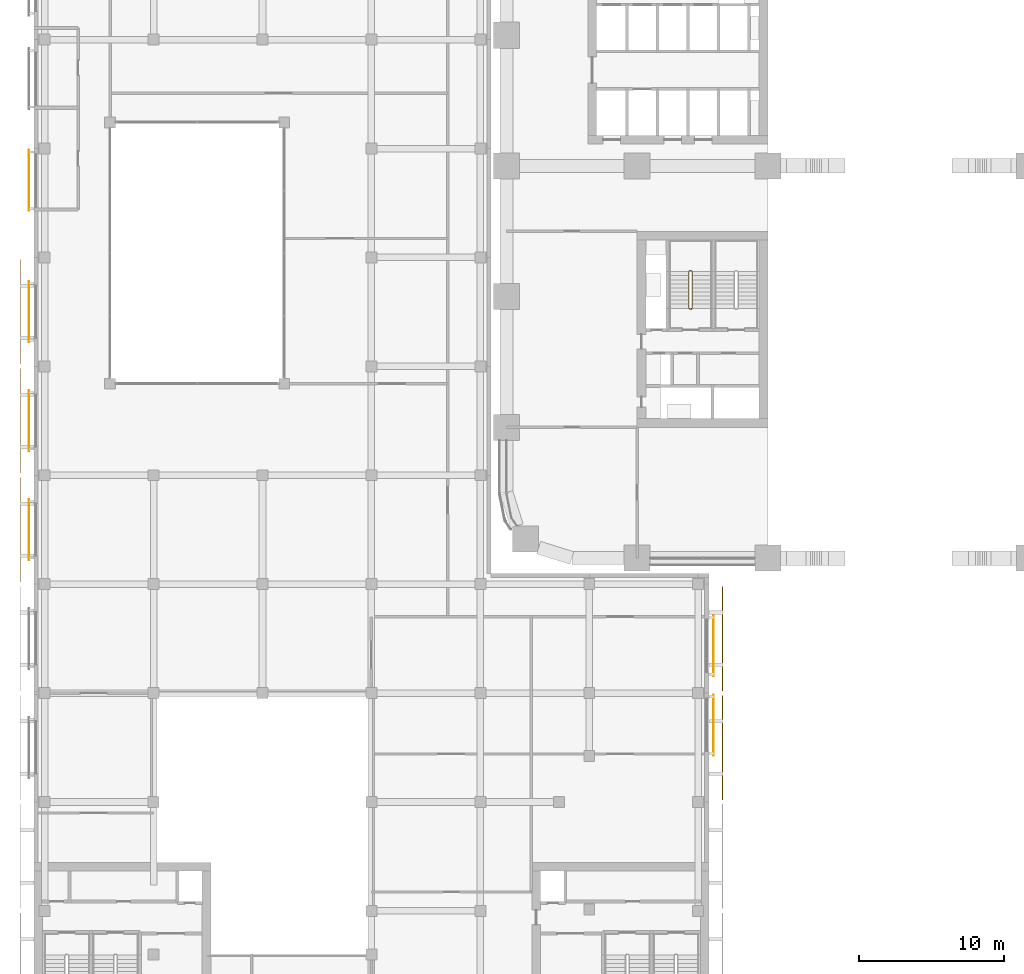
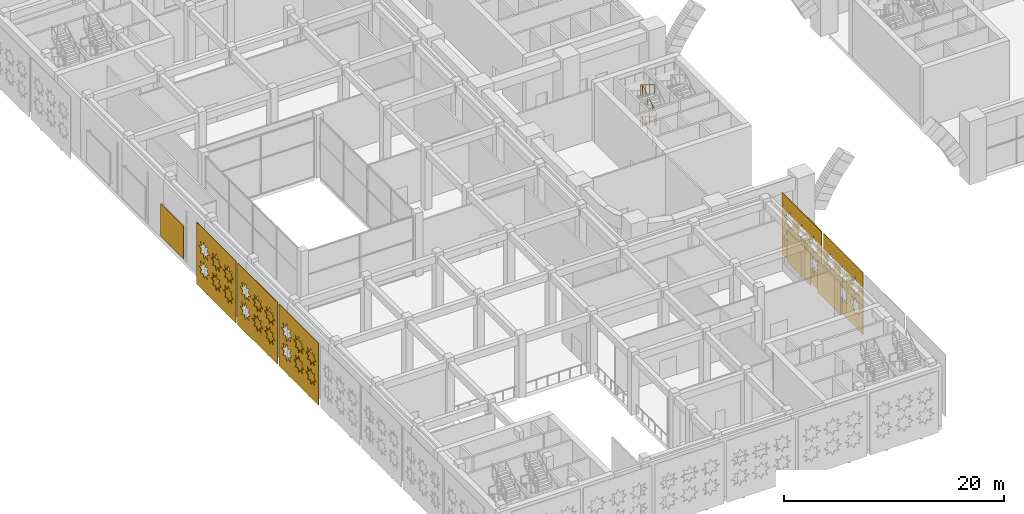
# One storey, part 33 of 42: 11 coverings, 1 railing.
"""IFC4 building model written with IfcOpenShell, lengths in metres."""

from ifc_helpers import new_model, si_unit, direction, frame, origin, origin_2d, place, context, subcontext, project, spatial, polyline, rectangle, circle, outline, extrude, material, layer, layer_set, type_object, element, save


model = new_model("IFC4")

# Units and contexts
model_context = context("Model", 3, precision=1e-05, world=origin(), true_north=direction((0.0, 1.0)))
body_context = subcontext(model_context, "Body", "Model", "MODEL_VIEW")
ifc_project = project(units=[si_unit("LENGTHUNIT", "METRE"), si_unit("AREAUNIT", "SQUARE_METRE"), si_unit("VOLUMEUNIT", "CUBIC_METRE"), si_unit("PLANEANGLEUNIT", "RADIAN"), si_unit("MASSUNIT", "GRAM", prefix="KILO")], contexts=[model_context])

# Site, building, storey
site_placement = place(None, origin())
site = spatial("IfcSite", under=ifc_project, at=site_placement, CompositionType="ELEMENT")
building_placement = place(site_placement, origin())
building = spatial("IfcBuilding", under=site, at=building_placement, Name="Tessera Arch", CompositionType="ELEMENT")
storey_placement = place(building_placement, frame((0.0, 0.0, 14.0)))
storey = spatial("IfcBuildingStorey", under=building, at=storey_placement, Name="L02", CompositionType="ELEMENT", Elevation=14.0)

# Coverings
ifc_material_1 = material(Name="Anodised aluminium pale metal", Category="aluminium")
ifc_layer_1 = layer(ifc_material_1, 0.050048828125)
ifc_layer_set_1 = layer_set([ifc_layer_1], Name="Museum lattice skin panel")
covering_type_1 = type_object("IfcCoveringType", Name="Museum lattice skin panel", PredefinedType="CLADDING", material=ifc_layer_set_1)
covering_1_placement = place(storey_placement, frame((14.85009765625, -16.64990234375, 6.949951171875), z_axis=(-1.0, 0.0, 0.0), x_axis=(0.0, 1.0, 0.0)))
element("IfcCovering", 1, at=covering_1_placement, inside=storey, type_object=covering_type_1, Name="Museum lattice skin L02 2-4", PredefinedType="CLADDING", context=body_context, shape_type="SweptSolid", body=[
    extrude(outline(polyline([(0.0, 0.0), (7.199951171875, 0.0), (7.199951171875, 6.849853515625), (0.0, 6.849853515625), (0.0, 0.0)]), holes=[polyline([(2.367919921875, 4.52490234375), (1.887939453125, 4.322998046875), (2.083984375, 3.841064453125), (1.601806640625, 4.036865234375), (1.39990234375, 3.556884765625), (1.197998046875, 4.036865234375), (0.7158203125, 3.841064453125), (0.911865234375, 4.322998046875), (0.431884765625, 4.52490234375), (0.911865234375, 4.72705078125), (0.7158203125, 5.208984375), (1.197998046875, 5.012939453125), (1.39990234375, 5.492919921875), (1.601806640625, 5.012939453125), (2.083984375, 5.208984375), (1.887939453125, 4.72705078125), (2.367919921875, 4.52490234375)]), polyline([(2.367919921875, 2.324951171875), (1.887939453125, 2.123046875), (2.083984375, 1.640869140625), (1.601806640625, 1.8369140625), (1.39990234375, 1.35693359375), (1.197998046875, 1.8369140625), (0.7158203125, 1.640869140625), (0.911865234375, 2.123046875), (0.431884765625, 2.324951171875), (0.911865234375, 2.52685546875), (0.7158203125, 3.009033203125), (1.197998046875, 2.81298828125), (1.39990234375, 3.29296875), (1.601806640625, 2.81298828125), (2.083984375, 3.009033203125), (1.887939453125, 2.52685546875), (2.367919921875, 2.324951171875)]), polyline([(4.56787109375, 4.52490234375), (4.087890625, 4.322998046875), (4.283935546875, 3.841064453125), (3.802001953125, 4.036865234375), (3.599853515625, 3.556884765625), (3.39794921875, 4.036865234375), (2.916015625, 3.841064453125), (3.11181640625, 4.322998046875), (2.6318359375, 4.52490234375), (3.11181640625, 4.72705078125), (2.916015625, 5.208984375), (3.39794921875, 5.012939453125), (3.599853515625, 5.492919921875), (3.802001953125, 5.012939453125), (4.283935546875, 5.208984375), (4.087890625, 4.72705078125), (4.56787109375, 4.52490234375)]), polyline([(4.56787109375, 2.324951171875), (4.087890625, 2.123046875), (4.283935546875, 1.640869140625), (3.802001953125, 1.8369140625), (3.599853515625, 1.35693359375), (3.39794921875, 1.8369140625), (2.916015625, 1.640869140625), (3.11181640625, 2.123046875), (2.6318359375, 2.324951171875), (3.11181640625, 2.52685546875), (2.916015625, 3.009033203125), (3.39794921875, 2.81298828125), (3.599853515625, 3.29296875), (3.802001953125, 2.81298828125), (4.283935546875, 3.009033203125), (4.087890625, 2.52685546875), (4.56787109375, 2.324951171875)]), polyline([(6.767822265625, 4.52490234375), (6.287841796875, 4.322998046875), (6.48388671875, 3.841064453125), (6.001953125, 4.036865234375), (5.7998046875, 3.556884765625), (5.597900390625, 4.036865234375), (5.115966796875, 3.841064453125), (5.31201171875, 4.322998046875), (4.831787109375, 4.52490234375), (5.31201171875, 4.72705078125), (5.115966796875, 5.208984375), (5.597900390625, 5.012939453125), (5.7998046875, 5.492919921875), (6.001953125, 5.012939453125), (6.48388671875, 5.208984375), (6.287841796875, 4.72705078125), (6.767822265625, 4.52490234375)]), polyline([(6.767822265625, 2.324951171875), (6.287841796875, 2.123046875), (6.48388671875, 1.640869140625), (6.001953125, 1.8369140625), (5.7998046875, 1.35693359375), (5.597900390625, 1.8369140625), (5.115966796875, 1.640869140625), (5.31201171875, 2.123046875), (4.831787109375, 2.324951171875), (5.31201171875, 2.52685546875), (5.115966796875, 3.009033203125), (5.597900390625, 2.81298828125), (5.7998046875, 3.29296875), (6.001953125, 2.81298828125), (6.48388671875, 3.009033203125), (6.287841796875, 2.52685546875), (6.767822265625, 2.324951171875)])]), origin(), (0.0, 0.0, -1.0), 0.050048828125),
])
covering_2_placement = place(storey_placement, frame((14.85009765625, -9.14990234375, 6.949951171875), z_axis=(-1.0, 0.0, 0.0), x_axis=(0.0, 1.0, 0.0)))
element("IfcCovering", 2, at=covering_2_placement, inside=storey, type_object=covering_type_1, Name="Museum lattice skin L02 2-5", PredefinedType="CLADDING", context=body_context, shape_type="SweptSolid", body=[
    extrude(outline(polyline([(0.0, 0.0), (7.199951171875, 0.0), (7.199951171875, 6.849853515625), (0.0, 6.849853515625), (0.0, 0.0)]), holes=[polyline([(2.367919921875, 4.52490234375), (1.887939453125, 4.322998046875), (2.083984375, 3.841064453125), (1.601806640625, 4.036865234375), (1.39990234375, 3.556884765625), (1.197998046875, 4.036865234375), (0.7158203125, 3.841064453125), (0.911865234375, 4.322998046875), (0.431884765625, 4.52490234375), (0.911865234375, 4.72705078125), (0.7158203125, 5.208984375), (1.197998046875, 5.012939453125), (1.39990234375, 5.492919921875), (1.601806640625, 5.012939453125), (2.083984375, 5.208984375), (1.887939453125, 4.72705078125), (2.367919921875, 4.52490234375)]), polyline([(2.367919921875, 2.324951171875), (1.887939453125, 2.123046875), (2.083984375, 1.640869140625), (1.601806640625, 1.8369140625), (1.39990234375, 1.35693359375), (1.197998046875, 1.8369140625), (0.7158203125, 1.640869140625), (0.911865234375, 2.123046875), (0.431884765625, 2.324951171875), (0.911865234375, 2.52685546875), (0.7158203125, 3.009033203125), (1.197998046875, 2.81298828125), (1.39990234375, 3.29296875), (1.601806640625, 2.81298828125), (2.083984375, 3.009033203125), (1.887939453125, 2.52685546875), (2.367919921875, 2.324951171875)]), polyline([(4.56787109375, 4.52490234375), (4.087890625, 4.322998046875), (4.283935546875, 3.841064453125), (3.802001953125, 4.036865234375), (3.599853515625, 3.556884765625), (3.39794921875, 4.036865234375), (2.916015625, 3.841064453125), (3.11181640625, 4.322998046875), (2.6318359375, 4.52490234375), (3.11181640625, 4.72705078125), (2.916015625, 5.208984375), (3.39794921875, 5.012939453125), (3.599853515625, 5.492919921875), (3.802001953125, 5.012939453125), (4.283935546875, 5.208984375), (4.087890625, 4.72705078125), (4.56787109375, 4.52490234375)]), polyline([(4.56787109375, 2.324951171875), (4.087890625, 2.123046875), (4.283935546875, 1.640869140625), (3.802001953125, 1.8369140625), (3.599853515625, 1.35693359375), (3.39794921875, 1.8369140625), (2.916015625, 1.640869140625), (3.11181640625, 2.123046875), (2.6318359375, 2.324951171875), (3.11181640625, 2.52685546875), (2.916015625, 3.009033203125), (3.39794921875, 2.81298828125), (3.599853515625, 3.29296875), (3.802001953125, 2.81298828125), (4.283935546875, 3.009033203125), (4.087890625, 2.52685546875), (4.56787109375, 2.324951171875)]), polyline([(6.767822265625, 4.52490234375), (6.287841796875, 4.322998046875), (6.48388671875, 3.841064453125), (6.001953125, 4.036865234375), (5.7998046875, 3.556884765625), (5.597900390625, 4.036865234375), (5.115966796875, 3.841064453125), (5.31201171875, 4.322998046875), (4.831787109375, 4.52490234375), (5.31201171875, 4.72705078125), (5.115966796875, 5.208984375), (5.597900390625, 5.012939453125), (5.7998046875, 5.492919921875), (6.001953125, 5.012939453125), (6.48388671875, 5.208984375), (6.287841796875, 4.72705078125), (6.767822265625, 4.52490234375)]), polyline([(6.767822265625, 2.324951171875), (6.287841796875, 2.123046875), (6.48388671875, 1.640869140625), (6.001953125, 1.8369140625), (5.7998046875, 1.35693359375), (5.597900390625, 1.8369140625), (5.115966796875, 1.640869140625), (5.31201171875, 2.123046875), (4.831787109375, 2.324951171875), (5.31201171875, 2.52685546875), (5.115966796875, 3.009033203125), (5.597900390625, 2.81298828125), (5.7998046875, 3.29296875), (6.001953125, 2.81298828125), (6.48388671875, 3.009033203125), (6.287841796875, 2.52685546875), (6.767822265625, 2.324951171875)])]), origin(), (0.0, 0.0, -1.0), 0.050048828125),
])
covering_3_placement = place(storey_placement, frame((-33.449951171875, 20.550048828125, 6.949951171875), z_axis=(1.0, 0.0, 0.0), x_axis=(0.0, -1.0, 0.0)))
element("IfcCovering", 3, at=covering_3_placement, inside=storey, type_object=covering_type_1, Name="Museum lattice skin L02 6-7", PredefinedType="CLADDING", context=body_context, shape_type="SweptSolid", body=[
    extrude(outline(polyline([(0.0, 0.0), (7.199951171875, 0.0), (7.199951171875, 6.849853515625), (0.0, 6.849853515625), (0.0, 0.0)]), holes=[polyline([(2.3681640625, 4.52490234375), (1.887939453125, 4.322998046875), (2.083984375, 3.841064453125), (1.60205078125, 4.036865234375), (1.400146484375, 3.556884765625), (1.197998046875, 4.036865234375), (0.716064453125, 3.841064453125), (0.912109375, 4.322998046875), (0.43212890625, 4.52490234375), (0.912109375, 4.72705078125), (0.716064453125, 5.208984375), (1.197998046875, 5.012939453125), (1.400146484375, 5.492919921875), (1.60205078125, 5.012939453125), (2.083984375, 5.208984375), (1.887939453125, 4.72705078125), (2.3681640625, 4.52490234375)]), polyline([(2.3681640625, 2.324951171875), (1.887939453125, 2.123046875), (2.083984375, 1.640869140625), (1.60205078125, 1.8369140625), (1.400146484375, 1.35693359375), (1.197998046875, 1.8369140625), (0.716064453125, 1.640869140625), (0.912109375, 2.123046875), (0.43212890625, 2.324951171875), (0.912109375, 2.52685546875), (0.716064453125, 3.009033203125), (1.197998046875, 2.81298828125), (1.400146484375, 3.29296875), (1.60205078125, 2.81298828125), (2.083984375, 3.009033203125), (1.887939453125, 2.52685546875), (2.3681640625, 2.324951171875)]), polyline([(4.568115234375, 4.52490234375), (4.088134765625, 4.322998046875), (4.283935546875, 3.841064453125), (3.802001953125, 4.036865234375), (3.60009765625, 3.556884765625), (3.39794921875, 4.036865234375), (2.916015625, 3.841064453125), (3.112060546875, 4.322998046875), (2.632080078125, 4.52490234375), (3.112060546875, 4.72705078125), (2.916015625, 5.208984375), (3.39794921875, 5.012939453125), (3.60009765625, 5.492919921875), (3.802001953125, 5.012939453125), (4.283935546875, 5.208984375), (4.088134765625, 4.72705078125), (4.568115234375, 4.52490234375)]), polyline([(4.568115234375, 2.324951171875), (4.088134765625, 2.123046875), (4.283935546875, 1.640869140625), (3.802001953125, 1.8369140625), (3.60009765625, 1.35693359375), (3.39794921875, 1.8369140625), (2.916015625, 1.640869140625), (3.112060546875, 2.123046875), (2.632080078125, 2.324951171875), (3.112060546875, 2.52685546875), (2.916015625, 3.009033203125), (3.39794921875, 2.81298828125), (3.60009765625, 3.29296875), (3.802001953125, 2.81298828125), (4.283935546875, 3.009033203125), (4.088134765625, 2.52685546875), (4.568115234375, 2.324951171875)]), polyline([(6.76806640625, 4.52490234375), (6.2880859375, 4.322998046875), (6.484130859375, 3.841064453125), (6.001953125, 4.036865234375), (5.800048828125, 3.556884765625), (5.59814453125, 4.036865234375), (5.115966796875, 3.841064453125), (5.31201171875, 4.322998046875), (4.83203125, 4.52490234375), (5.31201171875, 4.72705078125), (5.115966796875, 5.208984375), (5.59814453125, 5.012939453125), (5.800048828125, 5.492919921875), (6.001953125, 5.012939453125), (6.484130859375, 5.208984375), (6.2880859375, 4.72705078125), (6.76806640625, 4.52490234375)]), polyline([(6.76806640625, 2.324951171875), (6.2880859375, 2.123046875), (6.484130859375, 1.640869140625), (6.001953125, 1.8369140625), (5.800048828125, 1.35693359375), (5.59814453125, 1.8369140625), (5.115966796875, 1.640869140625), (5.31201171875, 2.123046875), (4.83203125, 2.324951171875), (5.31201171875, 2.52685546875), (5.115966796875, 3.009033203125), (5.59814453125, 2.81298828125), (5.800048828125, 3.29296875), (6.001953125, 2.81298828125), (6.484130859375, 3.009033203125), (6.2880859375, 2.52685546875), (6.76806640625, 2.324951171875)])]), origin(), (0.0, 0.0, -1.0), 0.050048828125),
])
covering_4_placement = place(storey_placement, frame((-33.449951171875, 13.050048828125, 6.949951171875), z_axis=(1.0, 0.0, 0.0), x_axis=(0.0, -1.0, 0.0)))
element("IfcCovering", 4, at=covering_4_placement, inside=storey, type_object=covering_type_1, Name="Museum lattice skin L02 6-8", PredefinedType="CLADDING", context=body_context, shape_type="SweptSolid", body=[
    extrude(outline(polyline([(0.0, 0.0), (7.199951171875, 0.0), (7.199951171875, 6.849853515625), (0.0, 6.849853515625), (0.0, 0.0)]), holes=[polyline([(2.3681640625, 4.52490234375), (1.887939453125, 4.322998046875), (2.083984375, 3.841064453125), (1.60205078125, 4.036865234375), (1.400146484375, 3.556884765625), (1.197998046875, 4.036865234375), (0.716064453125, 3.841064453125), (0.912109375, 4.322998046875), (0.43212890625, 4.52490234375), (0.912109375, 4.72705078125), (0.716064453125, 5.208984375), (1.197998046875, 5.012939453125), (1.400146484375, 5.492919921875), (1.60205078125, 5.012939453125), (2.083984375, 5.208984375), (1.887939453125, 4.72705078125), (2.3681640625, 4.52490234375)]), polyline([(2.3681640625, 2.324951171875), (1.887939453125, 2.123046875), (2.083984375, 1.640869140625), (1.60205078125, 1.8369140625), (1.400146484375, 1.35693359375), (1.197998046875, 1.8369140625), (0.716064453125, 1.640869140625), (0.912109375, 2.123046875), (0.43212890625, 2.324951171875), (0.912109375, 2.52685546875), (0.716064453125, 3.009033203125), (1.197998046875, 2.81298828125), (1.400146484375, 3.29296875), (1.60205078125, 2.81298828125), (2.083984375, 3.009033203125), (1.887939453125, 2.52685546875), (2.3681640625, 2.324951171875)]), polyline([(4.568115234375, 4.52490234375), (4.088134765625, 4.322998046875), (4.283935546875, 3.841064453125), (3.802001953125, 4.036865234375), (3.60009765625, 3.556884765625), (3.39794921875, 4.036865234375), (2.916015625, 3.841064453125), (3.112060546875, 4.322998046875), (2.632080078125, 4.52490234375), (3.112060546875, 4.72705078125), (2.916015625, 5.208984375), (3.39794921875, 5.012939453125), (3.60009765625, 5.492919921875), (3.802001953125, 5.012939453125), (4.283935546875, 5.208984375), (4.088134765625, 4.72705078125), (4.568115234375, 4.52490234375)]), polyline([(4.568115234375, 2.324951171875), (4.088134765625, 2.123046875), (4.283935546875, 1.640869140625), (3.802001953125, 1.8369140625), (3.60009765625, 1.35693359375), (3.39794921875, 1.8369140625), (2.916015625, 1.640869140625), (3.112060546875, 2.123046875), (2.632080078125, 2.324951171875), (3.112060546875, 2.52685546875), (2.916015625, 3.009033203125), (3.39794921875, 2.81298828125), (3.60009765625, 3.29296875), (3.802001953125, 2.81298828125), (4.283935546875, 3.009033203125), (4.088134765625, 2.52685546875), (4.568115234375, 2.324951171875)]), polyline([(6.76806640625, 4.52490234375), (6.2880859375, 4.322998046875), (6.484130859375, 3.841064453125), (6.001953125, 4.036865234375), (5.800048828125, 3.556884765625), (5.59814453125, 4.036865234375), (5.115966796875, 3.841064453125), (5.31201171875, 4.322998046875), (4.83203125, 4.52490234375), (5.31201171875, 4.72705078125), (5.115966796875, 5.208984375), (5.59814453125, 5.012939453125), (5.800048828125, 5.492919921875), (6.001953125, 5.012939453125), (6.484130859375, 5.208984375), (6.2880859375, 4.72705078125), (6.76806640625, 4.52490234375)]), polyline([(6.76806640625, 2.324951171875), (6.2880859375, 2.123046875), (6.484130859375, 1.640869140625), (6.001953125, 1.8369140625), (5.800048828125, 1.35693359375), (5.59814453125, 1.8369140625), (5.115966796875, 1.640869140625), (5.31201171875, 2.123046875), (4.83203125, 2.324951171875), (5.31201171875, 2.52685546875), (5.115966796875, 3.009033203125), (5.59814453125, 2.81298828125), (5.800048828125, 3.29296875), (6.001953125, 2.81298828125), (6.484130859375, 3.009033203125), (6.2880859375, 2.52685546875), (6.76806640625, 2.324951171875)])]), origin(), (0.0, 0.0, -1.0), 0.050048828125),
])
covering_5_placement = place(storey_placement, frame((-33.449951171875, 5.550048828125, 6.949951171875), z_axis=(1.0, 0.0, 0.0), x_axis=(0.0, -1.0, 0.0)))
element("IfcCovering", 5, at=covering_5_placement, inside=storey, type_object=covering_type_1, Name="Museum lattice skin L02 6-9", PredefinedType="CLADDING", context=body_context, shape_type="SweptSolid", body=[
    extrude(outline(polyline([(0.0, 0.0), (7.199951171875, 0.0), (7.199951171875, 6.849853515625), (0.0, 6.849853515625), (0.0, 0.0)]), holes=[polyline([(2.3681640625, 4.52490234375), (1.887939453125, 4.322998046875), (2.083984375, 3.841064453125), (1.60205078125, 4.036865234375), (1.400146484375, 3.556884765625), (1.197998046875, 4.036865234375), (0.716064453125, 3.841064453125), (0.912109375, 4.322998046875), (0.43212890625, 4.52490234375), (0.912109375, 4.72705078125), (0.716064453125, 5.208984375), (1.197998046875, 5.012939453125), (1.400146484375, 5.492919921875), (1.60205078125, 5.012939453125), (2.083984375, 5.208984375), (1.887939453125, 4.72705078125), (2.3681640625, 4.52490234375)]), polyline([(2.3681640625, 2.324951171875), (1.887939453125, 2.123046875), (2.083984375, 1.640869140625), (1.60205078125, 1.8369140625), (1.400146484375, 1.35693359375), (1.197998046875, 1.8369140625), (0.716064453125, 1.640869140625), (0.912109375, 2.123046875), (0.43212890625, 2.324951171875), (0.912109375, 2.52685546875), (0.716064453125, 3.009033203125), (1.197998046875, 2.81298828125), (1.400146484375, 3.29296875), (1.60205078125, 2.81298828125), (2.083984375, 3.009033203125), (1.887939453125, 2.52685546875), (2.3681640625, 2.324951171875)]), polyline([(4.568115234375, 4.52490234375), (4.088134765625, 4.322998046875), (4.283935546875, 3.841064453125), (3.802001953125, 4.036865234375), (3.60009765625, 3.556884765625), (3.39794921875, 4.036865234375), (2.916015625, 3.841064453125), (3.112060546875, 4.322998046875), (2.632080078125, 4.52490234375), (3.112060546875, 4.72705078125), (2.916015625, 5.208984375), (3.39794921875, 5.012939453125), (3.60009765625, 5.492919921875), (3.802001953125, 5.012939453125), (4.283935546875, 5.208984375), (4.088134765625, 4.72705078125), (4.568115234375, 4.52490234375)]), polyline([(4.568115234375, 2.324951171875), (4.088134765625, 2.123046875), (4.283935546875, 1.640869140625), (3.802001953125, 1.8369140625), (3.60009765625, 1.35693359375), (3.39794921875, 1.8369140625), (2.916015625, 1.640869140625), (3.112060546875, 2.123046875), (2.632080078125, 2.324951171875), (3.112060546875, 2.52685546875), (2.916015625, 3.009033203125), (3.39794921875, 2.81298828125), (3.60009765625, 3.29296875), (3.802001953125, 2.81298828125), (4.283935546875, 3.009033203125), (4.088134765625, 2.52685546875), (4.568115234375, 2.324951171875)]), polyline([(6.76806640625, 4.52490234375), (6.2880859375, 4.322998046875), (6.484130859375, 3.841064453125), (6.001953125, 4.036865234375), (5.800048828125, 3.556884765625), (5.59814453125, 4.036865234375), (5.115966796875, 3.841064453125), (5.31201171875, 4.322998046875), (4.83203125, 4.52490234375), (5.31201171875, 4.72705078125), (5.115966796875, 5.208984375), (5.59814453125, 5.012939453125), (5.800048828125, 5.492919921875), (6.001953125, 5.012939453125), (6.484130859375, 5.208984375), (6.2880859375, 4.72705078125), (6.76806640625, 4.52490234375)]), polyline([(6.76806640625, 2.324951171875), (6.2880859375, 2.123046875), (6.484130859375, 1.640869140625), (6.001953125, 1.8369140625), (5.800048828125, 1.35693359375), (5.59814453125, 1.8369140625), (5.115966796875, 1.640869140625), (5.31201171875, 2.123046875), (4.83203125, 2.324951171875), (5.31201171875, 2.52685546875), (5.115966796875, 3.009033203125), (5.59814453125, 2.81298828125), (5.800048828125, 3.29296875), (6.001953125, 2.81298828125), (6.484130859375, 3.009033203125), (6.2880859375, 2.52685546875), (6.76806640625, 2.324951171875)])]), origin(), (0.0, 0.0, -1.0), 0.050048828125),
])
ifc_material_2 = material(Name="Anodised aluminium pale metal", Category="aluminium")
ifc_layer_2 = layer(ifc_material_2, 0.0400390625)
ifc_layer_set_2 = layer_set([ifc_layer_2], Name="Museum screen panel")
covering_type_2 = type_object("IfcCoveringType", Name="Museum screen panel", PredefinedType="CLADDING", material=ifc_layer_set_2)
for number, where, z_axis, x_axis, name in (
    (6, (14.27001953125, -11.5, 0.599853515625), (0.0, 0.0, 1.0), (0.0, 1.0, 0.0), "Screen panel museum L02 2-4"),
    (7, (14.27001953125, -6.050048828125, 0.599853515625), (0.0, 0.0, 1.0), (0.0, 1.0, 0.0), "Screen panel museum L02 2-5"),
    (8, (-32.8701171875, 26.0, 0.599853515625), (0.0, 0.0, 1.0), (0.0, -1.0, 0.0), "Screen panel museum L02 6-6"),
    (9, (-32.8701171875, 16.949951171875, 0.599853515625), (0.0, 0.0, 1.0), (0.0, -1.0, 0.0), "Screen panel museum L02 6-7"),
    (10, (-32.8701171875, 9.449951171875, 0.599853515625), (0.0, 0.0, 1.0), (0.0, -1.0, 0.0), "Screen panel museum L02 6-8"),
    (11, (-32.8701171875, 1.949951171875, 0.599853515625), (0.0, 0.0, 1.0), (0.0, -1.0, 0.0), "Screen panel museum L02 6-9"),
):
    element("IfcCovering", number, at=place(storey_placement, frame(where, z_axis=z_axis, x_axis=x_axis)), inside=storey, type_object=covering_type_2, Name=name, PredefinedType="CLADDING", context=body_context, shape_type="SweptSolid", body=[
        extrude(rectangle(XDim=4.199951171875, YDim=0.0400390625, at=origin_2d()), origin(), (0.0, 0.0, 1.0), 3.60009765625),
    ])

# Railing
ifc_material_3 = material(Name="Painted steel balustrade", Category="steel")
railing_type = type_object("IfcRailingType", Name="Stair guard 1100", PredefinedType="GUARDRAIL", material=ifc_material_3)
railing_placement = place(storey_placement, frame((12.75, 17.14990234375, 0.0)))
element("IfcRailing", 12, at=railing_placement, inside=storey, type_object=railing_type, Name="L02 S4b stair guard 1", PredefinedType="GUARDRAIL", context=body_context, shape_type="SweptSolid", body=[
    extrude(circle(Radius=0.02392578125, at=origin_2d()), frame((0.00390625, 0.0, 1.076171875), z_axis=(-1.0, 0.0, 0.0), x_axis=(0.0, -1.0, 0.0)), (0.0, 0.0, 1.0), 0.157958984375),
    extrude(circle(Radius=0.02392578125, at=origin_2d()), frame((-0.15283203125, -0.000732421875, 1.073486328125), z_axis=(0.739407315901, 0.185077533284, 0.647319957877), x_axis=(-0.242814311512, 0.970072785993, 0.0)), (0.0, 0.0, 1.0), 0.2783203125),
    extrude(circle(Radius=0.02392578125, at=origin_2d()), frame((0.050048828125, 0.046630859375, 1.2490234375), z_axis=(0.0, 0.848007534815, 0.529984170421), x_axis=(-1.0, 0.0, 0.0)), (0.0, 0.0, 1.0), 2.979736328125),
    extrude(circle(Radius=0.02392578125, at=origin_2d()), frame((0.052978515625, 2.567138671875, 2.826171875), z_axis=(-0.707106781187, 0.707106781187, 0.0), x_axis=(-0.707106781187, -0.707106781187, 0.0)), (0.0, 0.0, 1.0), 0.078857421875),
    extrude(circle(Radius=0.02392578125, at=origin_2d()), frame((0.00390625, 2.6201171875, 2.826171875), z_axis=(-1.0, 0.0, 0.0), x_axis=(0.0, -1.0, 0.0)), (0.0, 0.0, 1.0), 0.157958984375),
    extrude(circle(Radius=0.02392578125, at=origin_2d()), frame((-0.14892578125, 2.62109375, 2.822265625), z_axis=(-0.265065253269, -0.265065253269, 0.927081885822), x_axis=(0.707106781187, -0.707106781187, 0.0)), (0.0, 0.0, 1.0), 0.19677734375),
    extrude(circle(Radius=0.02392578125, at=origin_2d()), frame((-0.199951171875, 2.573486328125, 2.9990234375), z_axis=(0.0, -0.848007534815, 0.529984170421), x_axis=(1.0, 0.0, 0.0)), (0.0, 0.0, 1.0), 2.979736328125),
    extrude(circle(Radius=0.02392578125, at=origin_2d()), frame((-0.203857421875, 0.051025390625, 4.576171875), z_axis=(0.970072785993, -0.242814311512, 0.0), x_axis=(0.242814311512, 0.970072785993, 0.0)), (0.0, 0.0, 1.0), 0.214111328125),
    extrude(circle(Radius=0.02392578125, at=origin_2d()), frame((0.00390625, 0.0, 4.576171875), z_axis=(-1.0, 0.0, 0.0), x_axis=(0.0, -1.0, 0.0)), (0.0, 0.0, 1.0), 0.157958984375),
    extrude(circle(Radius=0.02392578125, at=origin_2d()), frame((-0.15283203125, -0.000732421875, 4.573486328125), z_axis=(0.739407315901, 0.185077533284, 0.647319957877), x_axis=(-0.242814311512, 0.970072785993, 0.0)), (0.0, 0.0, 1.0), 0.2783203125),
    extrude(circle(Radius=0.02392578125, at=origin_2d()), frame((0.050048828125, 0.046630859375, 4.7490234375), z_axis=(0.0, 0.848007534815, 0.529984170421), x_axis=(-1.0, 0.0, 0.0)), (0.0, 0.0, 1.0), 2.979736328125),
    extrude(circle(Radius=0.02392578125, at=origin_2d()), frame((0.052978515625, 2.567138671875, 6.326171875), z_axis=(-0.707106781187, 0.707106781187, 0.0), x_axis=(-0.707106781187, -0.707106781187, 0.0)), (0.0, 0.0, 1.0), 0.078857421875),
    extrude(circle(Radius=0.02392578125, at=origin_2d()), frame((0.00390625, 2.6201171875, 6.326171875), z_axis=(-1.0, 0.0, 0.0), x_axis=(0.0, -1.0, 0.0)), (0.0, 0.0, 1.0), 0.157958984375),
    extrude(circle(Radius=0.02392578125, at=origin_2d()), frame((-0.14892578125, 2.62109375, 6.322265625), z_axis=(-0.265065253269, -0.265065253269, 0.927081885822), x_axis=(0.707106781187, -0.707106781187, 0.0)), (0.0, 0.0, 1.0), 0.19677734375),
    extrude(circle(Radius=0.02392578125, at=origin_2d()), frame((-0.199951171875, 2.573486328125, 6.4990234375), z_axis=(0.0, -0.848007534815, 0.529984170421), x_axis=(1.0, 0.0, 0.0)), (0.0, 0.0, 1.0), 2.979736328125),
    extrude(circle(Radius=0.02099609375, at=origin_2d()), origin(), (0.0, 0.0, 1.0), 1.06396484375),
    extrude(circle(Radius=0.02099609375, at=origin_2d()), frame((-0.14990234375, 0.0, 0.0)), (0.0, 0.0, 1.0), 1.06396484375),
    extrude(circle(Radius=0.02099609375, at=origin_2d()), frame((0.050048828125, 0.050048828125, 0.175048828125)), (0.0, 0.0, 1.0), 1.06396484375),
    extrude(circle(Radius=0.02099609375, at=origin_2d()), frame((0.050048828125, 0.89013671875, 0.699951171875)), (0.0, 0.0, 1.0), 1.06396484375),
    extrude(circle(Radius=0.02099609375, at=origin_2d()), frame((0.050048828125, 1.72998046875, 1.22509765625)), (0.0, 0.0, 1.0), 1.06396484375),
    extrude(circle(Radius=0.02099609375, at=origin_2d()), frame((0.050048828125, 2.570068359375, 1.75)), (0.0, 0.0, 1.0), 1.06396484375),
    extrude(circle(Radius=0.02099609375, at=origin_2d()), frame((0.0, 2.6201171875, 1.75)), (0.0, 0.0, 1.0), 1.06396484375),
    extrude(circle(Radius=0.02099609375, at=origin_2d()), frame((-0.14990234375, 2.6201171875, 1.75)), (0.0, 0.0, 1.0), 1.06396484375),
    extrude(circle(Radius=0.02099609375, at=origin_2d()), frame((-0.199951171875, 2.570068359375, 1.925048828125)), (0.0, 0.0, 1.0), 1.06396484375),
    extrude(circle(Radius=0.02099609375, at=origin_2d()), frame((-0.199951171875, 1.72998046875, 2.449951171875)), (0.0, 0.0, 1.0), 1.06396484375),
    extrude(circle(Radius=0.02099609375, at=origin_2d()), frame((-0.199951171875, 0.89013671875, 2.97509765625)), (0.0, 0.0, 1.0), 1.06396484375),
    extrude(circle(Radius=0.02099609375, at=origin_2d()), frame((-0.199951171875, 0.050048828125, 3.5)), (0.0, 0.0, 1.0), 1.06396484375),
    extrude(circle(Radius=0.02099609375, at=origin_2d()), frame((0.0, 0.0, 3.5)), (0.0, 0.0, 1.0), 1.06396484375),
    extrude(circle(Radius=0.02099609375, at=origin_2d()), frame((-0.14990234375, 0.0, 3.5)), (0.0, 0.0, 1.0), 1.06396484375),
    extrude(circle(Radius=0.02099609375, at=origin_2d()), frame((0.050048828125, 0.050048828125, 3.675048828125)), (0.0, 0.0, 1.0), 1.06396484375),
    extrude(circle(Radius=0.02099609375, at=origin_2d()), frame((0.050048828125, 0.89013671875, 4.199951171875)), (0.0, 0.0, 1.0), 1.06396484375),
    extrude(circle(Radius=0.02099609375, at=origin_2d()), frame((0.050048828125, 1.72998046875, 4.72509765625)), (0.0, 0.0, 1.0), 1.06396484375),
    extrude(circle(Radius=0.02099609375, at=origin_2d()), frame((0.050048828125, 2.570068359375, 5.25)), (0.0, 0.0, 1.0), 1.06396484375),
    extrude(circle(Radius=0.02099609375, at=origin_2d()), frame((0.0, 2.6201171875, 5.25)), (0.0, 0.0, 1.0), 1.06396484375),
    extrude(circle(Radius=0.02099609375, at=origin_2d()), frame((-0.14990234375, 2.6201171875, 5.25)), (0.0, 0.0, 1.0), 1.06396484375),
    extrude(circle(Radius=0.02099609375, at=origin_2d()), frame((-0.199951171875, 2.570068359375, 5.425048828125)), (0.0, 0.0, 1.0), 1.06396484375),
    extrude(circle(Radius=0.02099609375, at=origin_2d()), frame((-0.199951171875, 1.72998046875, 5.949951171875)), (0.0, 0.0, 1.0), 1.06396484375),
    extrude(circle(Radius=0.02099609375, at=origin_2d()), frame((-0.199951171875, 0.89013671875, 6.47509765625)), (0.0, 0.0, 1.0), 1.06396484375),
    extrude(circle(Radius=0.02099609375, at=origin_2d()), frame((-0.199951171875, 0.050048828125, 7.0)), (0.0, 0.0, 1.0), 1.06396484375),
])

save(model, "model.ifc")
